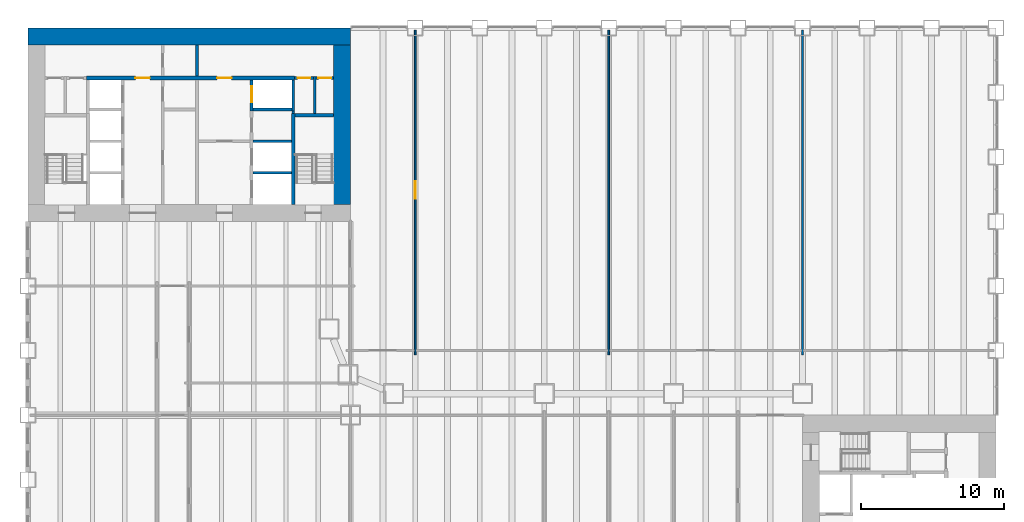
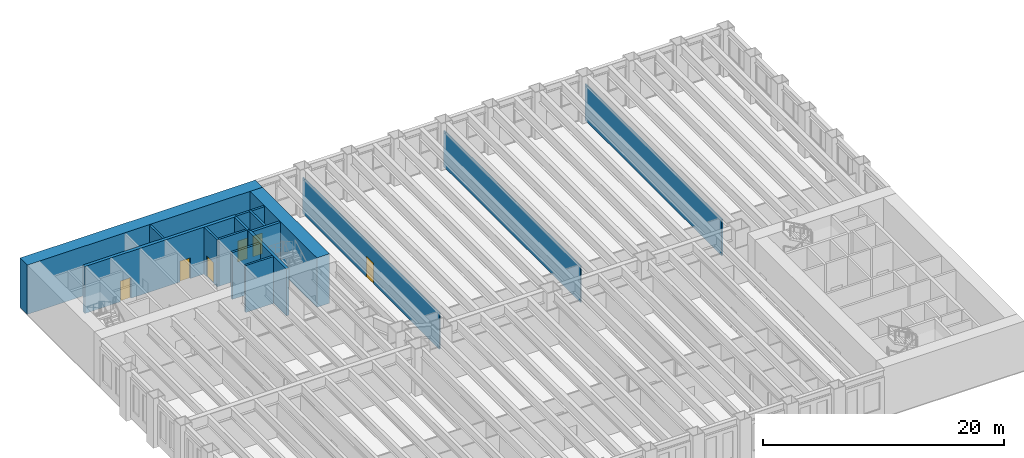
# One storey, part 15 of 19: 18 walls, 6 doors, 6 openings.
"""IFC4 building model written with IfcOpenShell, lengths in metres."""

from ifc_helpers import new_model, si_unit, direction, frame, frame_2d, origin, place, context, subcontext, project, spatial, rectangle, extrude, material, layer, layer_set, type_object, element, fill, save


model = new_model("IFC4")

# Units and contexts
model_context = context("Model", 3, precision=1e-05, world=origin(), true_north=direction((0.0, 1.0)))
body_context = subcontext(model_context, "Body", "Model", "MODEL_VIEW")
ifc_project = project(units=[si_unit("LENGTHUNIT", "METRE"), si_unit("AREAUNIT", "SQUARE_METRE"), si_unit("VOLUMEUNIT", "CUBIC_METRE"), si_unit("PLANEANGLEUNIT", "RADIAN"), si_unit("MASSUNIT", "GRAM", prefix="KILO")], contexts=[model_context])

# Site, building, storey
site_placement = place(None, origin())
site = spatial("IfcSite", under=ifc_project, at=site_placement, CompositionType="ELEMENT")
building_placement = place(site_placement, origin())
building = spatial("IfcBuilding", under=site, at=building_placement, Name="Sennacour Bend Tower", CompositionType="ELEMENT")
storey_placement = place(building_placement, frame((0.0, 0.0, 19.0)))
storey = spatial("IfcBuildingStorey", under=building, at=storey_placement, Name="L03", CompositionType="ELEMENT", Elevation=19.0)

# Walls
ifc_material_1 = material(Name="Concrete C80/95", Category="concrete")
ifc_layer_1 = layer(ifc_material_1, 1.199951171875, Name="Concrete C80/95", Category="concrete")
ifc_layer_set_1 = layer_set([ifc_layer_1], Name="Concrete C80/95")
wall_type_1 = type_object("IfcWallType", Name="Core wall 1200 C80/95", PredefinedType="SHEAR", material=ifc_layer_set_1)
wall_1_placement = place(storey_placement, frame((0.0, 48.89990234375, -0.14990234375), z_axis=(0.0, 0.0, 1.0), x_axis=(1.0, 0.0, 0.0)))
element("IfcWall", 1, at=wall_1_placement, inside=storey, type_object=wall_type_1, Name="Core B wall L03 N", PredefinedType="SHEAR", context=body_context, shape_type="SweptSolid", body=[
    extrude(rectangle(XDim=22.5, YDim=1.199951171875, at=frame_2d((11.25, 0.0))), origin(), (0.0, 0.0, 1.0), 5.0),
])
wall_2_placement = place(storey_placement, frame((21.89990234375, 37.199951171875, -0.14990234375), z_axis=(0.0, 0.0, 1.0), x_axis=(0.0, 1.0, 0.0)))
element("IfcWall", 2, at=wall_2_placement, inside=storey, type_object=wall_type_1, Name="Core B wall L03 E", PredefinedType="SHEAR", context=body_context, shape_type="SweptSolid", body=[
    extrude(rectangle(XDim=11.10009765625, YDim=1.199951171875, at=frame_2d((5.550048828125, 0.0))), origin(), (0.0, 0.0, 1.0), 5.0),
])

# Wall, opening, door
ifc_material_2 = material(Name="Plasterboard partition on steel studs", Category="steel")
ifc_layer_2 = layer(ifc_material_2, 0.1201171875, Name="Plasterboard partition on steel studs", Category="steel")
ifc_layer_set_2 = layer_set([ifc_layer_2], Name="Plasterboard partition on steel studs")
wall_type_2 = type_object("IfcWallType", Name="Partition 120", PredefinedType="PARTITIONING", material=ifc_layer_set_2)
wall_3_placement = place(storey_placement, frame((27.0, 26.699951171875, 0.0), z_axis=(0.0, 0.0, 1.0), x_axis=(0.0, 1.0, 0.0)))
wall_3 = element("IfcWall", 3, at=wall_3_placement, inside=storey, type_object=wall_type_2, Name="P-L03-W023a", PredefinedType="PARTITIONING", context=body_context, shape_type="SweptSolid", body=[
    extrude(rectangle(XDim=22.650146484375, YDim=0.1201171875, at=frame_2d((11.3251953125, 0.0))), origin(), (0.0, 0.0, 1.0), 3.66015625),
])
opening_1_placement = place(wall_3_placement, frame((10.89501953125, 0.0, 0.0)))
opening_1 = element("IfcOpeningElement", 4, at=opening_1_placement, cuts=wall_3, Name="Opening OD", PredefinedType="OPENING", context=body_context, shape_type="SweptSolid", body=[
    extrude(rectangle(XDim=1.199951171875, YDim=2.10009765625, at=frame_2d((0.60009765625, 1.050048828125))), frame((0.0, 0.070068359375, 0.0), z_axis=(0.0, -1.0, 0.0), x_axis=(1.0, 0.0, 0.0)), (0.0, 0.0, 1.0), 0.14013671875),
])
ifc_material_3 = material(Name="Timber", Category="wood")
door_type_1 = type_object("IfcDoorType", Name="DR-OFFICE-1200", OperationType="NOTDEFINED", PredefinedType="DOOR", material=ifc_material_3)
door_1_placement = place(opening_1_placement, origin())
door_1 = element("IfcDoor", 5, at=door_1_placement, inside=storey, type_object=door_type_1, Name="Door", OperationType="SINGLE_SWING_RIGHT", OverallHeight=2.10009765625, OverallWidth=1.199951171875, PredefinedType="DOOR", context=body_context, shape_type="SweptSolid", body=[
    extrude(rectangle(XDim=1.199951171875, YDim=2.10009765625, at=frame_2d((0.60009765625, 1.050048828125))), frame((0.0, 0.02490234375, 0.0), z_axis=(0.0, -1.0, 0.0), x_axis=(1.0, 0.0, 0.0)), (0.0, 0.0, 1.0), 0.050048828125),
])
fill(opening_1, door_1)

# Walls
for number, where, z_axis, x_axis, name in (
    (6, (40.5, 26.699951171875, 0.0), (0.0, 0.0, 1.0), (0.0, 1.0, 0.0), "P-L03-W027a"),
    (7, (54.0, 26.699951171875, 0.0), (0.0, 0.0, 1.0), (0.0, 1.0, 0.0), "P-L03-W030a"),
):
    element("IfcWall", number, at=place(storey_placement, frame(where, z_axis=z_axis, x_axis=x_axis)), inside=storey, type_object=wall_type_2, Name=name, PredefinedType="PARTITIONING", context=body_context, shape_type="SweptSolid", body=[
        extrude(rectangle(XDim=22.650146484375, YDim=0.1201171875, at=frame_2d((11.3251953125, 0.0))), origin(), (0.0, 0.0, 1.0), 3.66015625),
    ])
ifc_material_4 = material(Name="Fire-rated plasterboard partition on steel studs", Category="steel")
ifc_layer_3 = layer(ifc_material_4, 0.199951171875, Name="Fire-rated plasterboard partition on steel studs", Category="steel")
ifc_layer_set_3 = layer_set([ifc_layer_3], Name="Fire-rated plasterboard partition on steel studs")
wall_type_3 = type_object("IfcWallType", Name="Rated partition 200", PredefinedType="PARTITIONING", material=ifc_layer_set_3)
wall_4_placement = place(storey_placement, frame((11.800048828125, 46.14990234375, 0.0), z_axis=(0.0, 0.0, 1.0), x_axis=(0.0, 1.0, 0.0)))
element("IfcWall", 8, at=wall_4_placement, inside=storey, type_object=wall_type_3, Name="P-L03-W013b", PredefinedType="PARTITIONING", context=body_context, shape_type="SweptSolid", body=[
    extrude(rectangle(XDim=2.150146484375, YDim=0.199951171875, at=frame_2d((1.0751953125, 0.0))), origin(), (0.0, 0.0, 1.0), 4.75),
])
wall_5_placement = place(storey_placement, frame((18.5, 43.52490234375, 0.0), z_axis=(0.0, 0.0, 1.0), x_axis=(0.0, 1.0, 0.0)))
element("IfcWall", 9, at=wall_5_placement, inside=storey, type_object=wall_type_3, Name="P-L03-W019", PredefinedType="PARTITIONING", context=body_context, shape_type="SweptSolid", body=[
    extrude(rectangle(XDim=0.175048828125, YDim=0.199951171875, at=frame_2d((0.08740234375, 0.0))), origin(), (0.0, 0.0, 1.0), 4.75),
])
wall_6_placement = place(storey_placement, frame((20.0, 43.52490234375, 0.0), z_axis=(0.0, 0.0, 1.0), x_axis=(0.0, 1.0, 0.0)))
element("IfcWall", 10, at=wall_6_placement, inside=storey, type_object=wall_type_3, Name="P-L03-W021", PredefinedType="PARTITIONING", context=body_context, shape_type="SweptSolid", body=[
    extrude(rectangle(XDim=2.5751953125, YDim=0.199951171875, at=frame_2d((1.28759765625, 0.0))), origin(), (0.0, 0.0, 1.0), 4.75),
])

# Wall, opening, door
wall_7_placement = place(storey_placement, frame((18.60009765625, 46.0, 0.0), z_axis=(0.0, 0.0, 1.0), x_axis=(1.0, 0.0, 0.0)))
wall_7 = element("IfcWall", 11, at=wall_7_placement, inside=storey, type_object=wall_type_3, Name="P-L03-W082a", PredefinedType="PARTITIONING", context=body_context, shape_type="SweptSolid", body=[
    extrude(rectangle(XDim=1.2998046875, YDim=0.199951171875, at=frame_2d((0.64990234375, 0.0))), origin(), (0.0, 0.0, 1.0), 4.75),
])
opening_2_placement = place(wall_7_placement, frame((0.199951171875, 0.0, 0.0)))
opening_2 = element("IfcOpeningElement", 12, at=opening_2_placement, cuts=wall_7, Name="Opening SV", PredefinedType="OPENING", context=body_context, shape_type="SweptSolid", body=[
    extrude(rectangle(XDim=0.89990234375, YDim=2.10009765625, at=frame_2d((0.449951171875, 1.050048828125))), frame((0.0, 0.10986328125, 0.0), z_axis=(0.0, -1.0, 0.0), x_axis=(1.0, 0.0, 0.0)), (0.0, 0.0, 1.0), 0.219970703125),
])
ifc_material_5 = material(Name="Painted steel", Category="steel")
door_type_2 = type_object("IfcDoorType", Name="DR-SERVICE-900", OperationType="NOTDEFINED", PredefinedType="DOOR", material=ifc_material_5)
door_2_placement = place(opening_2_placement, origin())
door_2 = element("IfcDoor", 13, at=door_2_placement, inside=storey, type_object=door_type_2, Name="Door", OperationType="SINGLE_SWING_LEFT", OverallHeight=2.10009765625, OverallWidth=0.89990234375, PredefinedType="DOOR", context=body_context, shape_type="SweptSolid", body=[
    extrude(rectangle(XDim=0.89990234375, YDim=2.10009765625, at=frame_2d((0.449951171875, 1.050048828125))), frame((0.0, 0.02490234375, 0.0), z_axis=(0.0, -1.0, 0.0), x_axis=(1.0, 0.0, 0.0)), (0.0, 0.0, 1.0), 0.050048828125),
])
fill(opening_2, door_2)

wall_8_placement = place(storey_placement, frame((20.10009765625, 46.0, 0.0), z_axis=(0.0, 0.0, 1.0), x_axis=(1.0, 0.0, 0.0)))
wall_8 = element("IfcWall", 14, at=wall_8_placement, inside=storey, type_object=wall_type_3, Name="P-L03-W082b", PredefinedType="PARTITIONING", context=body_context, shape_type="SweptSolid", body=[
    extrude(rectangle(XDim=1.199951171875, YDim=0.199951171875, at=frame_2d((0.60009765625, 0.0))), origin(), (0.0, 0.0, 1.0), 4.75),
])
opening_3_placement = place(wall_8_placement, frame((0.14990234375, 0.0, 0.0)))
opening_3 = element("IfcOpeningElement", 15, at=opening_3_placement, cuts=wall_8, Name="Opening SV", PredefinedType="OPENING", context=body_context, shape_type="SweptSolid", body=[
    extrude(rectangle(XDim=0.89990234375, YDim=2.10009765625, at=frame_2d((0.449951171875, 1.050048828125))), frame((0.0, 0.10986328125, 0.0), z_axis=(0.0, -1.0, 0.0), x_axis=(1.0, 0.0, 0.0)), (0.0, 0.0, 1.0), 0.219970703125),
])
door_3_placement = place(opening_3_placement, origin())
door_3 = element("IfcDoor", 16, at=door_3_placement, inside=storey, type_object=door_type_2, Name="Door", OperationType="SINGLE_SWING_LEFT", OverallHeight=2.10009765625, OverallWidth=0.89990234375, PredefinedType="DOOR", context=body_context, shape_type="SweptSolid", body=[
    extrude(rectangle(XDim=0.89990234375, YDim=2.10009765625, at=frame_2d((0.449951171875, 1.050048828125))), frame((0.0, 0.02490234375, 0.0), z_axis=(0.0, -1.0, 0.0), x_axis=(1.0, 0.0, 0.0)), (0.0, 0.0, 1.0), 0.050048828125),
])
fill(opening_3, door_3)

ifc_material_6 = material(Name="Concrete C50/60", Category="concrete")
ifc_layer_4 = layer(ifc_material_6, 0.199951171875, Name="Concrete C50/60", Category="concrete")
ifc_layer_set_4 = layer_set([ifc_layer_4], Name="Concrete C50/60")
wall_type_4 = type_object("IfcWallType", Name="Shaft wall 200", PredefinedType="SOLIDWALL", material=ifc_layer_set_4)
wall_9_placement = place(storey_placement, frame((15.60009765625, 43.699951171875, 0.0), z_axis=(0.0, 0.0, 1.0), x_axis=(0.0, 1.0, 0.0)))
wall_9 = element("IfcWall", 17, at=wall_9_placement, inside=storey, type_object=wall_type_4, Name="P-L03-W016", PredefinedType="SOLIDWALL", context=body_context, shape_type="SweptSolid", body=[
    extrude(rectangle(XDim=2.150146484375, YDim=0.199951171875, at=frame_2d((1.0751953125, 0.0))), origin(), (0.0, 0.0, 1.0), 4.75),
])
opening_4_placement = place(wall_9_placement, frame((0.625, 0.0, 0.011962890625)))
opening_4 = element("IfcOpeningElement", 18, at=opening_4_placement, cuts=wall_9, Name="Opening LD", PredefinedType="OPENING", context=body_context, shape_type="SweptSolid", body=[
    extrude(rectangle(XDim=1.10009765625, YDim=2.10009765625, at=frame_2d((0.550048828125, 1.050048828125))), frame((0.0, 0.10986328125, 0.0), z_axis=(0.0, -1.0, 0.0), x_axis=(1.0, 0.0, 0.0)), (0.0, 0.0, 1.0), 0.219970703125),
])
ifc_material_7 = material(Name="Stainless steel", Category="steel")
door_type_3 = type_object("IfcDoorType", Name="DR-LANDING-1100", OperationType="NOTDEFINED", PredefinedType="DOOR", material=ifc_material_7)
door_4_placement = place(opening_4_placement, origin())
door_4 = element("IfcDoor", 19, at=door_4_placement, inside=storey, type_object=door_type_3, Name="Lift landing door LB5", OperationType="SLIDING_TO_LEFT", OverallHeight=2.10009765625, OverallWidth=1.10009765625, PredefinedType="DOOR", context=body_context, shape_type="SweptSolid", body=[
    extrude(rectangle(XDim=1.10009765625, YDim=2.10009765625, at=frame_2d((0.550048828125, 1.050048828125))), frame((0.0, 0.02490234375, 0.0), z_axis=(0.0, -1.0, 0.0), x_axis=(1.0, 0.0, 0.0)), (0.0, 0.0, 1.0), 0.050048828125),
])
fill(opening_4, door_4)

# Walls
wall_10_placement = place(storey_placement, frame((18.5, 43.699951171875, 0.0), z_axis=(0.0, 0.0, 1.0), x_axis=(0.0, 1.0, 0.0)))
element("IfcWall", 20, at=wall_10_placement, inside=storey, type_object=wall_type_4, Name="P-L03-W020", PredefinedType="SOLIDWALL", context=body_context, shape_type="SweptSolid", body=[
    extrude(rectangle(XDim=2.150146484375, YDim=0.199951171875, at=frame_2d((1.0751953125, 0.0))), origin(), (0.0, 0.0, 1.0), 4.75),
])
for number, where, z_axis, x_axis, name in (
    (21, (15.699951171875, 39.39990234375, 0.0), (0.0, 0.0, 1.0), (1.0, 0.0, 0.0), "P-L03-W071"),
    (22, (15.699951171875, 41.60009765625, 0.0), (0.0, 0.0, 1.0), (1.0, 0.0, 0.0), "P-L03-W074"),
):
    element("IfcWall", number, at=place(storey_placement, frame(where, z_axis=z_axis, x_axis=x_axis)), inside=storey, type_object=wall_type_4, Name=name, PredefinedType="SOLIDWALL", context=body_context, shape_type="SweptSolid", body=[
        extrude(rectangle(XDim=2.675048828125, YDim=0.199951171875, at=frame_2d((1.33740234375, 0.0))), origin(), (0.0, 0.0, 1.0), 4.75),
    ])
wall_11_placement = place(storey_placement, frame((15.699951171875, 43.800048828125, 0.0), z_axis=(0.0, 0.0, 1.0), x_axis=(1.0, 0.0, 0.0)))
element("IfcWall", 23, at=wall_11_placement, inside=storey, type_object=wall_type_4, Name="P-L03-W079", PredefinedType="SOLIDWALL", context=body_context, shape_type="SweptSolid", body=[
    extrude(rectangle(XDim=2.699951171875, YDim=0.199951171875, at=frame_2d((1.35009765625, 0.0))), origin(), (0.0, 0.0, 1.0), 4.75),
])

# Wall, openings, doors
ifc_material_8 = material(Name="Concrete C60/75", Category="concrete")
ifc_layer_5 = layer(ifc_material_8, 0.300048828125, Name="Concrete C60/75", Category="concrete")
ifc_layer_set_5 = layer_set([ifc_layer_5], Name="Concrete C60/75")
wall_type_5 = type_object("IfcWallType", Name="Spine wall 300", PredefinedType="SHEAR", material=ifc_layer_set_5)
wall_12_placement = place(storey_placement, frame((4.10009765625, 46.0, 0.0), z_axis=(0.0, 0.0, 1.0), x_axis=(1.0, 0.0, 0.0)))
wall_12 = element("IfcWall", 24, at=wall_12_placement, inside=storey, type_object=wall_type_5, Name="P-L03-W081", PredefinedType="SHEAR", context=body_context, shape_type="SweptSolid", body=[
    extrude(rectangle(XDim=14.5, YDim=0.300048828125, at=frame_2d((7.25, 0.0))), origin(), (0.0, 0.0, 1.0), 4.75),
])
opening_5_placement = place(wall_12_placement, frame((3.39990234375, 0.0, 0.0)))
opening_5 = element("IfcOpeningElement", 25, at=opening_5_placement, cuts=wall_12, Name="Opening CD2", PredefinedType="OPENING", context=body_context, shape_type="SweptSolid", body=[
    extrude(rectangle(XDim=1.0, YDim=2.10009765625, at=frame_2d((0.5, 1.050048828125))), frame((0.0, 0.16015625, 0.0), z_axis=(0.0, -1.0, 0.0), x_axis=(1.0, 0.0, 0.0)), (0.0, 0.0, 1.0), 0.320068359375),
])
opening_6_placement = place(wall_12_placement, frame((9.099853515625, 0.0, 0.0)))
opening_6 = element("IfcOpeningElement", 26, at=opening_6_placement, cuts=wall_12, Name="Opening CD2", PredefinedType="OPENING", context=body_context, shape_type="SweptSolid", body=[
    extrude(rectangle(XDim=1.0, YDim=2.10009765625, at=frame_2d((0.5, 1.050048828125))), frame((0.0, 0.16015625, 0.0), z_axis=(0.0, -1.0, 0.0), x_axis=(1.0, 0.0, 0.0)), (0.0, 0.0, 1.0), 0.320068359375),
])
door_type_4 = type_object("IfcDoorType", Name="DR-LOBBY-1000", OperationType="NOTDEFINED", PredefinedType="DOOR", material=ifc_material_5)
door_5_placement = place(opening_5_placement, origin())
door_5 = element("IfcDoor", 27, at=door_5_placement, inside=storey, type_object=door_type_4, Name="Door", OperationType="SINGLE_SWING_LEFT", OverallHeight=2.10009765625, OverallWidth=1.0, PredefinedType="DOOR", context=body_context, shape_type="SweptSolid", body=[
    extrude(rectangle(XDim=1.0, YDim=2.10009765625, at=frame_2d((0.5, 1.050048828125))), frame((0.0, 0.02490234375, 0.0), z_axis=(0.0, -1.0, 0.0), x_axis=(1.0, 0.0, 0.0)), (0.0, 0.0, 1.0), 0.050048828125),
])
fill(opening_5, door_5)
door_6_placement = place(opening_6_placement, origin())
door_6 = element("IfcDoor", 28, at=door_6_placement, inside=storey, type_object=door_type_4, Name="Door", OperationType="SINGLE_SWING_RIGHT", OverallHeight=2.10009765625, OverallWidth=1.0, PredefinedType="DOOR", context=body_context, shape_type="SweptSolid", body=[
    extrude(rectangle(XDim=1.0, YDim=2.10009765625, at=frame_2d((0.5, 1.050048828125))), frame((0.0, 0.02490234375, 0.0), z_axis=(0.0, -1.0, 0.0), x_axis=(1.0, 0.0, 0.0)), (0.0, 0.0, 1.0), 0.050048828125),
])
fill(opening_6, door_6)

# Walls
ifc_layer_6 = layer(ifc_material_8, 0.25, Name="Concrete C60/75", Category="concrete")
ifc_layer_set_6 = layer_set([ifc_layer_6], Name="Concrete C60/75")
wall_type_6 = type_object("IfcWallType", Name="Stair wall 250", PredefinedType="SHEAR", material=ifc_layer_set_6)
wall_13_placement = place(storey_placement, frame((18.5, 37.199951171875, 0.0), z_axis=(0.0, 0.0, 1.0), x_axis=(0.0, 1.0, 0.0)))
element("IfcWall", 29, at=wall_13_placement, inside=storey, type_object=wall_type_6, Name="P-L03-W018", PredefinedType="SHEAR", context=body_context, shape_type="SweptSolid", body=[
    extrude(rectangle(XDim=6.324951171875, YDim=0.25, at=frame_2d((3.16259765625, 0.0))), origin(), (0.0, 0.0, 1.0), 4.75),
])
wall_14_placement = place(storey_placement, frame((18.625, 43.39990234375, 0.0), z_axis=(0.0, 0.0, 1.0), x_axis=(1.0, 0.0, 0.0)))
element("IfcWall", 30, at=wall_14_placement, inside=storey, type_object=wall_type_6, Name="P-L03-W076", PredefinedType="SHEAR", context=body_context, shape_type="SweptSolid", body=[
    extrude(rectangle(XDim=2.675048828125, YDim=0.25, at=frame_2d((1.33740234375, 0.0))), origin(), (0.0, 0.0, 1.0), 4.75),
])

save(model, "model.ifc")
